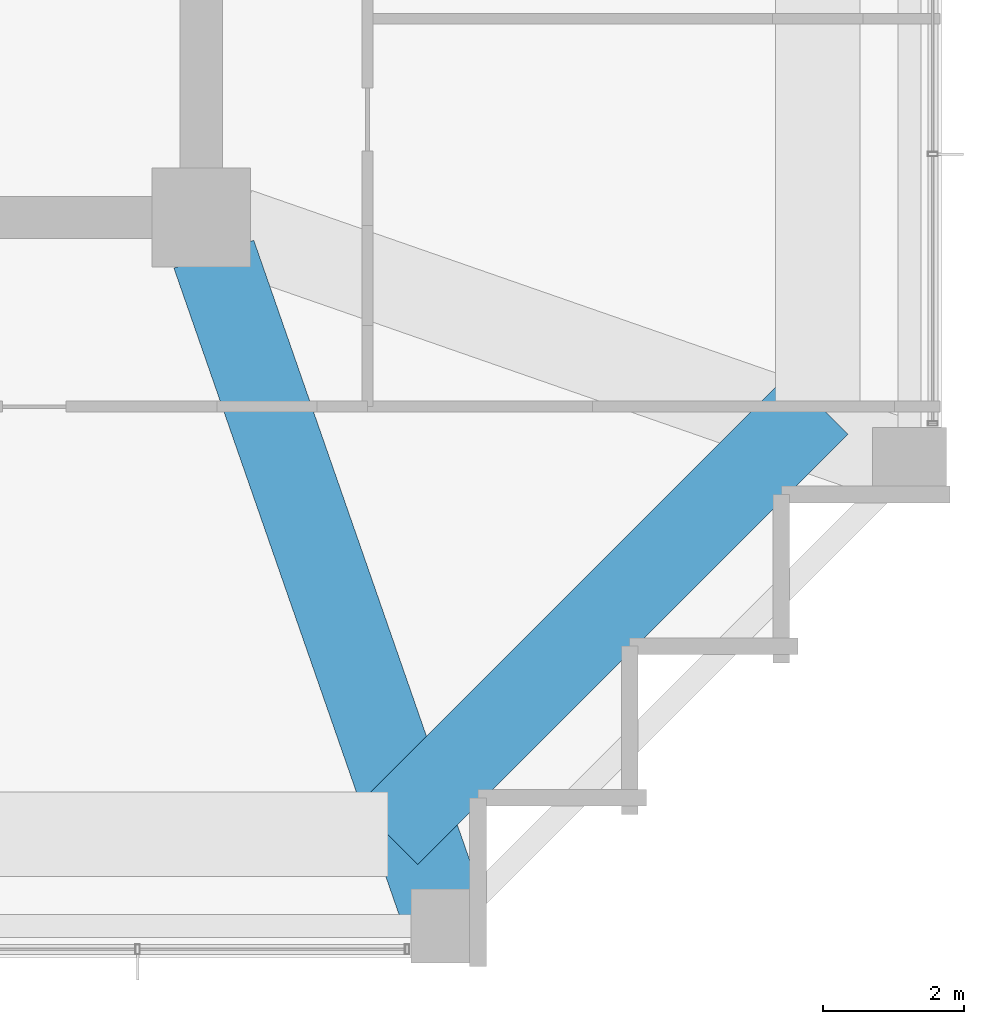
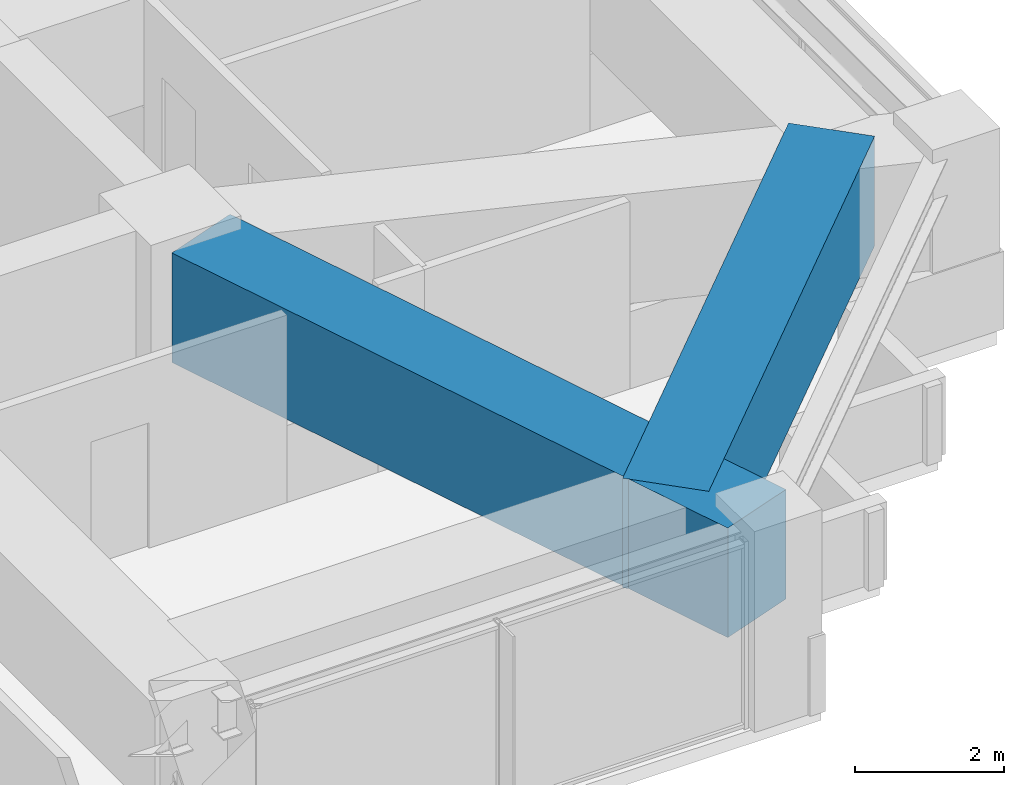
# One storey, part 13 of 34: 2 beams.
"""IFC4 building model written with IfcOpenShell, lengths in metres."""

from ifc_helpers import new_model, si_unit, direction, frame, origin, origin_2d, place, context, subcontext, project, spatial, rectangle, extrude, material, material_profile, profile_set, type_object, element, save


model = new_model("IFC4")

# Units and contexts
model_context = context("Model", 3, precision=1e-05, world=origin(), true_north=direction((0.0, 1.0)))
body_context = subcontext(model_context, "Body", "Model", "MODEL_VIEW")
ifc_project = project(units=[si_unit("LENGTHUNIT", "METRE"), si_unit("AREAUNIT", "SQUARE_METRE"), si_unit("VOLUMEUNIT", "CUBIC_METRE"), si_unit("PLANEANGLEUNIT", "RADIAN"), si_unit("MASSUNIT", "GRAM", prefix="KILO")], contexts=[model_context])

# Site, building, storey
site_placement = place(None, origin())
site = spatial("IfcSite", under=ifc_project, at=site_placement, CompositionType="ELEMENT")
building_placement = place(site_placement, origin())
building = spatial("IfcBuilding", under=site, at=building_placement, Name="Kolvaren Belvedere", CompositionType="ELEMENT")
storey_placement = place(building_placement, frame((0.0, 0.0, 105.199951171875)))
storey = spatial("IfcBuildingStorey", under=building, at=storey_placement, Name="L30", CompositionType="ELEMENT", Elevation=105.199951171875)

# Beams
ifc_material = material(Name="Concrete C50/60", Category="concrete")
ifc_material_profile = material_profile(ifc_material, rectangle(XDim=1.199951171875, YDim=1.800048828125, at=origin_2d()), Name="RC 1200X1800")
ifc_profile_set = profile_set([ifc_material_profile], Name="Concrete C50/60")
beam_type = type_object("IfcBeamType", Name="BM-TG-1800", PredefinedType="BEAM", material=ifc_profile_set)
beam_1_placement = place(storey_placement, frame((12.550048828125, -18.64990234375, 2.179931640625), z_axis=(0.707106781187, 0.707106781187, 0.0), x_axis=(-0.707106781187, 0.707106781187, 0.0)))
element("IfcBeam", 1, at=beam_1_placement, inside=storey, type_object=beam_type, Name="L30 Step Transfer Ring Girder S4-E1", PredefinedType="BEAM", context=body_context, shape_type="SweptSolid", body=[
    extrude(rectangle(XDim=1.199951171875, YDim=1.800048828125, at=origin_2d()), origin(), (0.0, 0.0, 1.0), 8.62646484375),
])
beam_2_placement = place(storey_placement, frame((10.080810546875, -10.41943359375, 2.179931640625), z_axis=(0.328880894453, -0.944371408538, 0.0), x_axis=(0.944371408538, 0.328880894453, 0.0)))
element("IfcBeam", 2, at=beam_2_placement, inside=storey, type_object=beam_type, Name="L30 Corner Core-to-Perimeter Girder CC2-S4", PredefinedType="BEAM", context=body_context, shape_type="SweptSolid", body=[
    extrude(rectangle(XDim=1.199951171875, YDim=1.800048828125, at=origin_2d()), origin(), (0.0, 0.0, 1.0), 9.882080078125),
])

save(model, "model.ifc")
